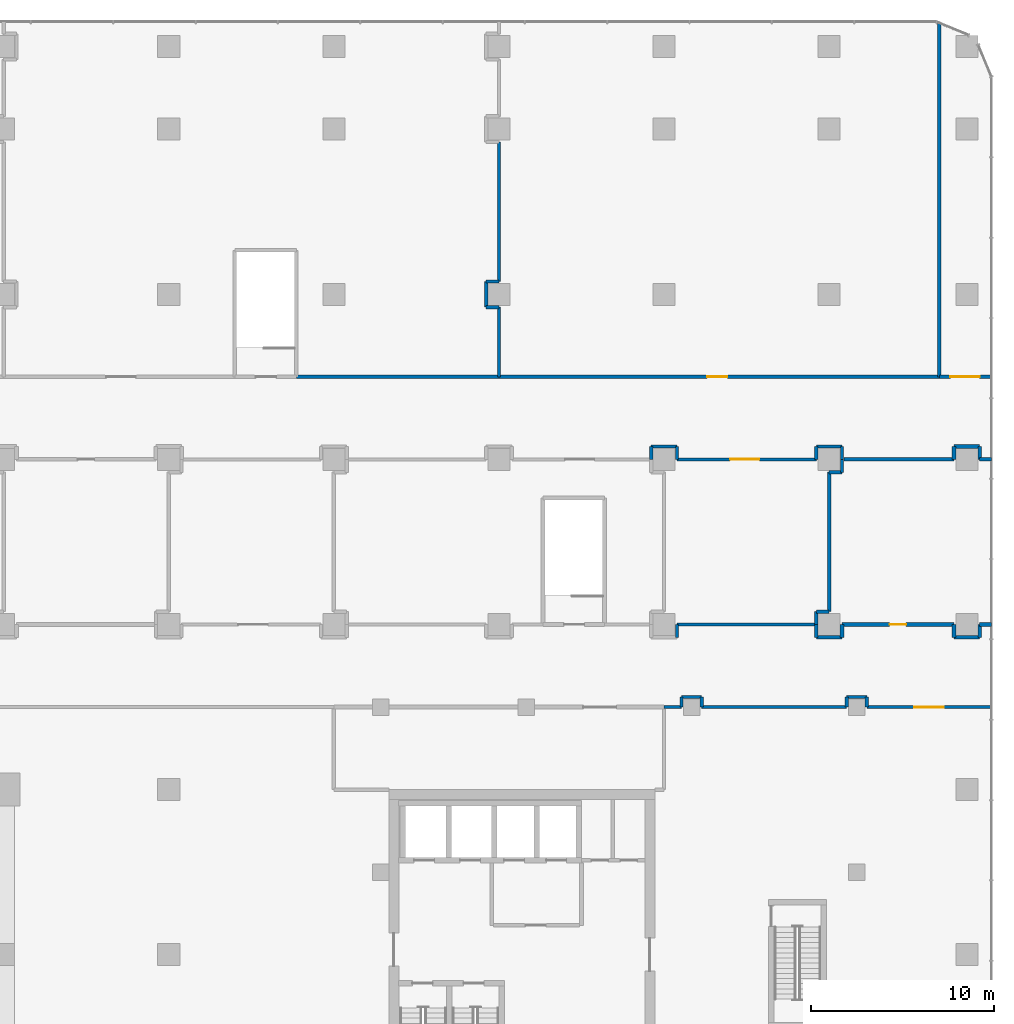
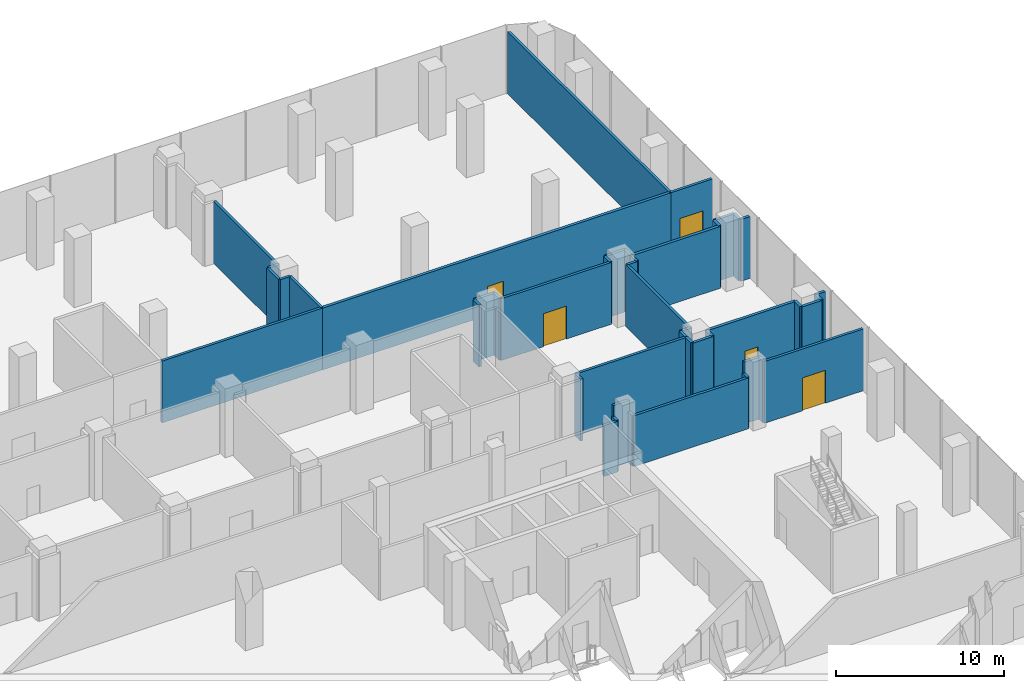
# One storey, part 31 of 36: 45 walls, 5 doors, 5 openings.
"""IFC4 building model written with IfcOpenShell, lengths in metres."""

from ifc_helpers import new_model, si_unit, direction, frame, frame_2d, origin, place, context, subcontext, project, spatial, rectangle, extrude, material, layer, layer_set, type_object, element, fill, save


model = new_model("IFC4")

# Units and contexts
model_context = context("Model", 3, precision=1e-05, world=origin(), true_north=direction((0.0, 1.0)))
body_context = subcontext(model_context, "Body", "Model", "MODEL_VIEW")
ifc_project = project(units=[si_unit("LENGTHUNIT", "METRE"), si_unit("AREAUNIT", "SQUARE_METRE"), si_unit("VOLUMEUNIT", "CUBIC_METRE"), si_unit("PLANEANGLEUNIT", "RADIAN"), si_unit("MASSUNIT", "GRAM", prefix="KILO")], contexts=[model_context])

# Site, building, storey
site_placement = place(None, origin())
site = spatial("IfcSite", under=ifc_project, at=site_placement, CompositionType="ELEMENT")
building_placement = place(site_placement, origin())
building = spatial("IfcBuilding", under=site, at=building_placement, Name="Plateau Cross Towers", CompositionType="ELEMENT")
storey_placement = place(building_placement, frame((0.0, 0.0, 21.800048828125)))
storey = spatial("IfcBuildingStorey", under=building, at=storey_placement, Name="L04", CompositionType="ELEMENT", Elevation=21.800048828125)

# Walls
ifc_material_1 = material(Name="Dense masonry block, plastered, acoustic lining", Category="masonry")
ifc_layer_1 = layer(ifc_material_1, 0.179931640625)
ifc_layer_set_1 = layer_set([ifc_layer_1], Name="Dense masonry block, plastered, acoustic lining")
wall_type_1 = type_object("IfcWallType", Name="Plant room acoustic wall 180", PredefinedType="PARTITIONING", material=ifc_layer_set_1)
wall_1_placement = place(storey_placement, frame((81.0, 53.300048828125, 0.0), z_axis=(0.0, 0.0, 1.0), x_axis=(0.0, -1.0, 0.0)))
element("IfcWall", 1, at=wall_1_placement, inside=storey, type_object=wall_type_1, Name="Partition wall", PredefinedType="PARTITIONING", context=body_context, shape_type="SweptSolid", body=[
    extrude(rectangle(XDim=7.60009765625, YDim=0.179931640625, at=frame_2d((3.800048828125, 0.0))), origin(), (0.0, 0.0, 1.0), 4.5),
])
wall_2_placement = place(storey_placement, frame((81.0, 45.699951171875, 0.0), z_axis=(0.0, 0.0, 1.0), x_axis=(-1.0, 0.0, 0.0)))
element("IfcWall", 2, at=wall_2_placement, inside=storey, type_object=wall_type_1, Name="Partition wall", PredefinedType="PARTITIONING", context=body_context, shape_type="SweptSolid", body=[
    extrude(rectangle(XDim=0.699951171875, YDim=0.179931640625, at=frame_2d((0.35009765625, 0.0))), origin(), (0.0, 0.0, 1.0), 4.5),
])
wall_3_placement = place(storey_placement, frame((80.300048828125, 45.699951171875, 0.0), z_axis=(0.0, 0.0, 1.0), x_axis=(0.0, -1.0, 0.0)))
element("IfcWall", 3, at=wall_3_placement, inside=storey, type_object=wall_type_1, Name="Partition wall", PredefinedType="PARTITIONING", context=body_context, shape_type="SweptSolid", body=[
    extrude(rectangle(XDim=1.39990234375, YDim=0.179931640625, at=frame_2d((0.699951171875, 0.0))), origin(), (0.0, 0.0, 1.0), 4.5),
])
wall_4_placement = place(storey_placement, frame((80.300048828125, 44.300048828125, 0.0), z_axis=(0.0, 0.0, 1.0), x_axis=(1.0, 0.0, 0.0)))
element("IfcWall", 4, at=wall_4_placement, inside=storey, type_object=wall_type_1, Name="Partition wall", PredefinedType="PARTITIONING", context=body_context, shape_type="SweptSolid", body=[
    extrude(rectangle(XDim=0.699951171875, YDim=0.179931640625, at=frame_2d((0.35009765625, 0.0))), origin(), (0.0, 0.0, 1.0), 4.5),
])
wall_5_placement = place(storey_placement, frame((81.0, 44.300048828125, 0.0), z_axis=(0.0, 0.0, 1.0), x_axis=(0.0, -1.0, 0.0)))
element("IfcWall", 5, at=wall_5_placement, inside=storey, type_object=wall_type_1, Name="Partition wall", PredefinedType="PARTITIONING", context=body_context, shape_type="SweptSolid", body=[
    extrude(rectangle(XDim=3.800048828125, YDim=0.179931640625, at=frame_2d((1.89990234375, 0.0))), origin(), (0.0, 0.0, 1.0), 4.5),
])

# Wall, opening, door
wall_6_placement = place(storey_placement, frame((107.85009765625, 22.5, 0.0), z_axis=(0.0, 0.0, 1.0), x_axis=(-1.0, 0.0, 0.0)))
wall_6 = element("IfcWall", 6, at=wall_6_placement, inside=storey, type_object=wall_type_1, Name="Partition wall", PredefinedType="PARTITIONING", context=body_context, shape_type="SweptSolid", body=[
    extrude(rectangle(XDim=6.800048828125, YDim=0.179931640625, at=frame_2d((3.39990234375, 0.0))), origin(), (0.0, 0.0, 1.0), 4.5),
])
opening_1_placement = place(wall_6_placement, frame((2.60009765625, 0.0, 0.0)))
opening_1 = element("IfcOpeningElement", 7, at=opening_1_placement, cuts=wall_6, Name="Opening 04-31", PredefinedType="OPENING", context=body_context, shape_type="SweptSolid", body=[
    extrude(rectangle(XDim=1.60009765625, YDim=2.39990234375, at=frame_2d((0.800048828125, 1.199951171875))), frame((0.0, 0.099853515625, 0.0), z_axis=(0.0, -1.0, 0.0), x_axis=(1.0, 0.0, 0.0)), (0.0, 0.0, 1.0), 0.199951171875),
])
ifc_material_2 = material(Name="Steel, fire-resisting double leaf with louvre panel", Category="steel")
door_type_1 = type_object("IfcDoorType", Name="Plant room double door 1600x2400", OperationType="NOTDEFINED", PredefinedType="DOOR", material=ifc_material_2)
door_1_placement = place(opening_1_placement, origin())
door_1 = element("IfcDoor", 8, at=door_1_placement, inside=storey, type_object=door_type_1, Name="Door 04-31", OperationType="SINGLE_SWING_LEFT", OverallHeight=2.39990234375, OverallWidth=1.60009765625, PredefinedType="DOOR", context=body_context, shape_type="SweptSolid", body=[
    extrude(rectangle(XDim=1.60009765625, YDim=2.39990234375, at=frame_2d((0.800048828125, 1.199951171875))), frame((0.0, 0.02490234375, 0.0), z_axis=(0.0, -1.0, 0.0), x_axis=(1.0, 0.0, 0.0)), (0.0, 0.0, 1.0), 0.050048828125),
])
fill(opening_1, door_1)

# Walls
wall_7_placement = place(storey_placement, frame((101.050048828125, 22.5, 0.0), z_axis=(0.0, 0.0, 1.0), x_axis=(0.0, 1.0, 0.0)))
element("IfcWall", 9, at=wall_7_placement, inside=storey, type_object=wall_type_1, Name="Partition wall", PredefinedType="PARTITIONING", context=body_context, shape_type="SweptSolid", body=[
    extrude(rectangle(XDim=0.550048828125, YDim=0.179931640625, at=frame_2d((0.27490234375, 0.0))), origin(), (0.0, 0.0, 1.0), 4.5),
])
wall_8_placement = place(storey_placement, frame((101.050048828125, 23.050048828125, 0.0), z_axis=(0.0, 0.0, 1.0), x_axis=(-1.0, 0.0, 0.0)))
element("IfcWall", 10, at=wall_8_placement, inside=storey, type_object=wall_type_1, Name="Partition wall", PredefinedType="PARTITIONING", context=body_context, shape_type="SweptSolid", body=[
    extrude(rectangle(XDim=1.10009765625, YDim=0.179931640625, at=frame_2d((0.550048828125, 0.0))), origin(), (0.0, 0.0, 1.0), 4.5),
])
wall_9_placement = place(storey_placement, frame((99.949951171875, 23.050048828125, 0.0), z_axis=(0.0, 0.0, 1.0), x_axis=(0.0, -1.0, 0.0)))
element("IfcWall", 11, at=wall_9_placement, inside=storey, type_object=wall_type_1, Name="Partition wall", PredefinedType="PARTITIONING", context=body_context, shape_type="SweptSolid", body=[
    extrude(rectangle(XDim=0.550048828125, YDim=0.179931640625, at=frame_2d((0.27490234375, 0.0))), origin(), (0.0, 0.0, 1.0), 3.699951171875),
])
wall_10_placement = place(storey_placement, frame((99.949951171875, 22.5, 0.0), z_axis=(0.0, 0.0, 1.0), x_axis=(-1.0, 0.0, 0.0)))
element("IfcWall", 12, at=wall_10_placement, inside=storey, type_object=wall_type_1, Name="Partition wall", PredefinedType="PARTITIONING", context=body_context, shape_type="SweptSolid", body=[
    extrude(rectangle(XDim=7.89990234375, YDim=0.179931640625, at=frame_2d((3.949951171875, 0.0))), origin(), (0.0, 0.0, 1.0), 3.699951171875),
])
wall_11_placement = place(storey_placement, frame((92.050048828125, 22.5, 0.0), z_axis=(0.0, 0.0, 1.0), x_axis=(0.0, 1.0, 0.0)))
element("IfcWall", 13, at=wall_11_placement, inside=storey, type_object=wall_type_1, Name="Partition wall", PredefinedType="PARTITIONING", context=body_context, shape_type="SweptSolid", body=[
    extrude(rectangle(XDim=0.550048828125, YDim=0.179931640625, at=frame_2d((0.27490234375, 0.0))), origin(), (0.0, 0.0, 1.0), 3.699951171875),
])
wall_12_placement = place(storey_placement, frame((92.050048828125, 23.050048828125, 0.0), z_axis=(0.0, 0.0, 1.0), x_axis=(-1.0, 0.0, 0.0)))
element("IfcWall", 14, at=wall_12_placement, inside=storey, type_object=wall_type_1, Name="Partition wall", PredefinedType="PARTITIONING", context=body_context, shape_type="SweptSolid", body=[
    extrude(rectangle(XDim=1.10009765625, YDim=0.179931640625, at=frame_2d((0.550048828125, 0.0))), origin(), (0.0, 0.0, 1.0), 4.5),
])
wall_13_placement = place(storey_placement, frame((90.949951171875, 23.050048828125, 0.0), z_axis=(0.0, 0.0, 1.0), x_axis=(0.0, -1.0, 0.0)))
element("IfcWall", 15, at=wall_13_placement, inside=storey, type_object=wall_type_1, Name="Partition wall", PredefinedType="PARTITIONING", context=body_context, shape_type="SweptSolid", body=[
    extrude(rectangle(XDim=0.550048828125, YDim=0.179931640625, at=frame_2d((0.27490234375, 0.0))), origin(), (0.0, 0.0, 1.0), 3.699951171875),
])
wall_14_placement = place(storey_placement, frame((90.949951171875, 22.5, 0.0), z_axis=(0.0, 0.0, 1.0), x_axis=(-1.0, 0.0, 0.0)))
element("IfcWall", 16, at=wall_14_placement, inside=storey, type_object=wall_type_1, Name="Partition wall", PredefinedType="PARTITIONING", context=body_context, shape_type="SweptSolid", body=[
    extrude(rectangle(XDim=0.949951171875, YDim=0.179931640625, at=frame_2d((0.47509765625, 0.0))), origin(), (0.0, 0.0, 1.0), 3.699951171875),
])
wall_15_placement = place(storey_placement, frame((105.0, 59.7880859375, 0.0), z_axis=(0.0, 0.0, 1.0), x_axis=(0.0, -1.0, 0.0)))
element("IfcWall", 17, at=wall_15_placement, inside=storey, type_object=wall_type_1, Name="Partition wall", PredefinedType="PARTITIONING", context=body_context, shape_type="SweptSolid", body=[
    extrude(rectangle(XDim=19.2880859375, YDim=0.179931640625, at=frame_2d((9.64404296875, 0.0))), origin(), (0.0, 0.0, 1.0), 4.5),
])
wall_16_placement = place(storey_placement, frame((99.699951171875, 36.0, 0.0), z_axis=(0.0, 0.0, 1.0), x_axis=(0.0, 1.0, 0.0)))
element("IfcWall", 18, at=wall_16_placement, inside=storey, type_object=wall_type_1, Name="Partition wall", PredefinedType="PARTITIONING", context=body_context, shape_type="SweptSolid", body=[
    extrude(rectangle(XDim=0.699951171875, YDim=0.179931640625, at=frame_2d((0.35009765625, 0.0))), origin(), (0.0, 0.0, 1.0), 4.5),
])
wall_17_placement = place(storey_placement, frame((99.699951171875, 36.699951171875, 0.0), z_axis=(0.0, 0.0, 1.0), x_axis=(-1.0, 0.0, 0.0)))
element("IfcWall", 19, at=wall_17_placement, inside=storey, type_object=wall_type_1, Name="Partition wall", PredefinedType="PARTITIONING", context=body_context, shape_type="SweptSolid", body=[
    extrude(rectangle(XDim=1.39990234375, YDim=0.179931640625, at=frame_2d((0.699951171875, 0.0))), origin(), (0.0, 0.0, 1.0), 4.5),
])
wall_18_placement = place(storey_placement, frame((98.300048828125, 36.699951171875, 0.0), z_axis=(0.0, 0.0, 1.0), x_axis=(0.0, -1.0, 0.0)))
element("IfcWall", 20, at=wall_18_placement, inside=storey, type_object=wall_type_1, Name="Partition wall", PredefinedType="PARTITIONING", context=body_context, shape_type="SweptSolid", body=[
    extrude(rectangle(XDim=0.699951171875, YDim=0.179931640625, at=frame_2d((0.35009765625, 0.0))), origin(), (0.0, 0.0, 1.0), 4.5),
])

# Wall, opening, door
wall_19_placement = place(storey_placement, frame((98.300048828125, 36.0, 0.0), z_axis=(0.0, 0.0, 1.0), x_axis=(-1.0, 0.0, 0.0)))
wall_19 = element("IfcWall", 21, at=wall_19_placement, inside=storey, type_object=wall_type_1, Name="Partition wall", PredefinedType="PARTITIONING", context=body_context, shape_type="SweptSolid", body=[
    extrude(rectangle(XDim=7.60009765625, YDim=0.179931640625, at=frame_2d((3.800048828125, 0.0))), origin(), (0.0, 0.0, 1.0), 4.5),
])
opening_2_placement = place(wall_19_placement, frame((3.10009765625, 0.0, 0.0)))
opening_2 = element("IfcOpeningElement", 22, at=opening_2_placement, cuts=wall_19, Name="Opening 04-25", PredefinedType="OPENING", context=body_context, shape_type="SweptSolid", body=[
    extrude(rectangle(XDim=1.60009765625, YDim=2.39990234375, at=frame_2d((0.800048828125, 1.199951171875))), frame((0.0, 0.099853515625, 0.0), z_axis=(0.0, -1.0, 0.0), x_axis=(1.0, 0.0, 0.0)), (0.0, 0.0, 1.0), 0.199951171875),
])
door_2_placement = place(opening_2_placement, origin())
door_2 = element("IfcDoor", 23, at=door_2_placement, inside=storey, type_object=door_type_1, Name="Door 04-25", OperationType="SINGLE_SWING_LEFT", OverallHeight=2.39990234375, OverallWidth=1.60009765625, PredefinedType="DOOR", context=body_context, shape_type="SweptSolid", body=[
    extrude(rectangle(XDim=1.60009765625, YDim=2.39990234375, at=frame_2d((0.800048828125, 1.199951171875))), frame((0.0, 0.02490234375, 0.0), z_axis=(0.0, -1.0, 0.0), x_axis=(1.0, 0.0, 0.0)), (0.0, 0.0, 1.0), 0.050048828125),
])
fill(opening_2, door_2)

# Walls
wall_20_placement = place(storey_placement, frame((90.699951171875, 36.0, 0.0), z_axis=(0.0, 0.0, 1.0), x_axis=(0.0, 1.0, 0.0)))
element("IfcWall", 24, at=wall_20_placement, inside=storey, type_object=wall_type_1, Name="Partition wall", PredefinedType="PARTITIONING", context=body_context, shape_type="SweptSolid", body=[
    extrude(rectangle(XDim=0.699951171875, YDim=0.179931640625, at=frame_2d((0.35009765625, 0.0))), origin(), (0.0, 0.0, 1.0), 4.5),
])
wall_21_placement = place(storey_placement, frame((90.699951171875, 36.699951171875, 0.0), z_axis=(0.0, 0.0, 1.0), x_axis=(-1.0, 0.0, 0.0)))
element("IfcWall", 25, at=wall_21_placement, inside=storey, type_object=wall_type_1, Name="Partition wall", PredefinedType="PARTITIONING", context=body_context, shape_type="SweptSolid", body=[
    extrude(rectangle(XDim=1.39990234375, YDim=0.179931640625, at=frame_2d((0.699951171875, 0.0))), origin(), (0.0, 0.0, 1.0), 4.5),
])
wall_22_placement = place(storey_placement, frame((89.300048828125, 36.699951171875, 0.0), z_axis=(0.0, 0.0, 1.0), x_axis=(0.0, -1.0, 0.0)))
element("IfcWall", 26, at=wall_22_placement, inside=storey, type_object=wall_type_1, Name="Partition wall", PredefinedType="PARTITIONING", context=body_context, shape_type="SweptSolid", body=[
    extrude(rectangle(XDim=0.699951171875, YDim=0.179931640625, at=frame_2d((0.35009765625, 0.0))), origin(), (0.0, 0.0, 1.0), 4.5),
])
wall_23_placement = place(storey_placement, frame((69.949951171875, 40.5, 0.0), z_axis=(0.0, 0.0, 1.0), x_axis=(1.0, 0.0, 0.0)))
element("IfcWall", 27, at=wall_23_placement, inside=storey, type_object=wall_type_1, Name="Partition wall", PredefinedType="PARTITIONING", context=body_context, shape_type="SweptSolid", body=[
    extrude(rectangle(XDim=11.050048828125, YDim=0.179931640625, at=frame_2d((5.52490234375, 0.0))), origin(), (0.0, 0.0, 1.0), 4.5),
])
wall_24_placement = place(storey_placement, frame((90.699951171875, 26.300048828125, 0.0), z_axis=(0.0, 0.0, 1.0), x_axis=(0.0, 1.0, 0.0)))
element("IfcWall", 28, at=wall_24_placement, inside=storey, type_object=wall_type_1, Name="Partition wall", PredefinedType="PARTITIONING", context=body_context, shape_type="SweptSolid", body=[
    extrude(rectangle(XDim=0.699951171875, YDim=0.179931640625, at=frame_2d((0.35009765625, 0.0))), origin(), (0.0, 0.0, 1.0), 4.5),
])
wall_25_placement = place(storey_placement, frame((90.699951171875, 27.0, 0.0), z_axis=(0.0, 0.0, 1.0), x_axis=(1.0, 0.0, 0.0)))
element("IfcWall", 29, at=wall_25_placement, inside=storey, type_object=wall_type_1, Name="Partition wall", PredefinedType="PARTITIONING", context=body_context, shape_type="SweptSolid", body=[
    extrude(rectangle(XDim=7.60009765625, YDim=0.179931640625, at=frame_2d((3.800048828125, 0.0))), origin(), (0.0, 0.0, 1.0), 4.5),
])
for number, where, z_axis, x_axis, name in (
    (30, (99.699951171875, 36.0, 0.0), (0.0, 0.0, 1.0), (0.0, -1.0, 0.0), "Partition wall"),
    (31, (99.699951171875, 35.300048828125, 0.0), (0.0, 0.0, 1.0), (-1.0, 0.0, 0.0), "Partition wall"),
):
    element("IfcWall", number, at=place(storey_placement, frame(where, z_axis=z_axis, x_axis=x_axis)), inside=storey, type_object=wall_type_1, Name=name, PredefinedType="PARTITIONING", context=body_context, shape_type="SweptSolid", body=[
        extrude(rectangle(XDim=0.699951171875, YDim=0.179931640625, at=frame_2d((0.35009765625, 0.0))), origin(), (0.0, 0.0, 1.0), 4.5),
    ])
wall_26_placement = place(storey_placement, frame((99.0, 35.300048828125, 0.0), z_axis=(0.0, 0.0, 1.0), x_axis=(0.0, -1.0, 0.0)))
element("IfcWall", 32, at=wall_26_placement, inside=storey, type_object=wall_type_1, Name="Partition wall", PredefinedType="PARTITIONING", context=body_context, shape_type="SweptSolid", body=[
    extrude(rectangle(XDim=7.60009765625, YDim=0.179931640625, at=frame_2d((3.800048828125, 0.0))), origin(), (0.0, 0.0, 1.0), 4.5),
])
for number, where, z_axis, x_axis, name in (
    (33, (99.0, 27.699951171875, 0.0), (0.0, 0.0, 1.0), (-1.0, 0.0, 0.0), "Partition wall"),
    (34, (98.300048828125, 27.699951171875, 0.0), (0.0, 0.0, 1.0), (0.0, -1.0, 0.0), "Partition wall"),
):
    element("IfcWall", number, at=place(storey_placement, frame(where, z_axis=z_axis, x_axis=x_axis)), inside=storey, type_object=wall_type_1, Name=name, PredefinedType="PARTITIONING", context=body_context, shape_type="SweptSolid", body=[
        extrude(rectangle(XDim=0.699951171875, YDim=0.179931640625, at=frame_2d((0.35009765625, 0.0))), origin(), (0.0, 0.0, 1.0), 4.5),
    ])

# Wall, opening, door
wall_27_placement = place(storey_placement, frame((105.0, 40.5, 0.0), z_axis=(0.0, 0.0, 1.0), x_axis=(1.0, 0.0, 0.0)))
wall_27 = element("IfcWall", 35, at=wall_27_placement, inside=storey, type_object=wall_type_1, Name="Partition wall", PredefinedType="PARTITIONING", context=body_context, shape_type="SweptSolid", body=[
    extrude(rectangle(XDim=2.85009765625, YDim=0.179931640625, at=frame_2d((1.425048828125, 0.0))), origin(), (0.0, 0.0, 1.0), 4.5),
])
opening_3_placement = place(wall_27_placement, frame((0.60009765625, 0.0, 0.0)))
opening_3 = element("IfcOpeningElement", 36, at=opening_3_placement, cuts=wall_27, Name="Opening 04-36", PredefinedType="OPENING", context=body_context, shape_type="SweptSolid", body=[
    extrude(rectangle(XDim=1.60009765625, YDim=2.39990234375, at=frame_2d((0.800048828125, 1.199951171875))), frame((0.0, 0.099853515625, 0.0), z_axis=(0.0, -1.0, 0.0), x_axis=(1.0, 0.0, 0.0)), (0.0, 0.0, 1.0), 0.199951171875),
])
door_3_placement = place(opening_3_placement, origin())
door_3 = element("IfcDoor", 37, at=door_3_placement, inside=storey, type_object=door_type_1, Name="Door 04-36", OperationType="SINGLE_SWING_LEFT", OverallHeight=2.39990234375, OverallWidth=1.60009765625, PredefinedType="DOOR", context=body_context, shape_type="SweptSolid", body=[
    extrude(rectangle(XDim=1.60009765625, YDim=2.39990234375, at=frame_2d((0.800048828125, 1.199951171875))), frame((0.0, 0.02490234375, 0.0), z_axis=(0.0, -1.0, 0.0), x_axis=(1.0, 0.0, 0.0)), (0.0, 0.0, 1.0), 0.050048828125),
])
fill(opening_3, door_3)

ifc_material_3 = material(Name="Gypsum board on steel studs, two layers each side", Category="steel")
ifc_layer_2 = layer(ifc_material_3, 0.199951171875)
ifc_layer_set_2 = layer_set([ifc_layer_2], Name="Gypsum board on steel studs, two layers each side")
wall_type_2 = type_object("IfcWallType", Name="Podium compartment wall 200", PredefinedType="PARTITIONING", material=ifc_layer_set_2)
wall_28_placement = place(storey_placement, frame((81.0, 40.5, 0.0), z_axis=(0.0, 0.0, 1.0), x_axis=(1.0, 0.0, 0.0)))
wall_28 = element("IfcWall", 38, at=wall_28_placement, inside=storey, type_object=wall_type_2, Name="Partition wall", PredefinedType="PARTITIONING", context=body_context, shape_type="SweptSolid", body=[
    extrude(rectangle(XDim=24.0, YDim=0.199951171875, at=frame_2d((12.0, 0.0))), origin(), (0.0, 0.0, 1.0), 4.5),
])
opening_4_placement = place(wall_28_placement, frame((11.35009765625, 0.0, 0.0)))
opening_4 = element("IfcOpeningElement", 39, at=opening_4_placement, cuts=wall_28, Name="Opening 04-35", PredefinedType="OPENING", context=body_context, shape_type="SweptSolid", body=[
    extrude(rectangle(XDim=1.10009765625, YDim=2.10009765625, at=frame_2d((0.550048828125, 1.050048828125))), frame((0.0, 0.10986328125, 0.0), z_axis=(0.0, -1.0, 0.0), x_axis=(1.0, 0.0, 0.0)), (0.0, 0.0, 1.0), 0.219970703125),
])
ifc_material_4 = material(Name="Timber, fire-resisting leaf", Category="wood")
door_type_2 = type_object("IfcDoorType", Name="Podium fire door 1100", OperationType="NOTDEFINED", PredefinedType="DOOR", material=ifc_material_4)
door_4_placement = place(opening_4_placement, origin())
door_4 = element("IfcDoor", 40, at=door_4_placement, inside=storey, type_object=door_type_2, Name="Door 04-35", OperationType="SINGLE_SWING_LEFT", OverallHeight=2.10009765625, OverallWidth=1.10009765625, PredefinedType="DOOR", context=body_context, shape_type="SweptSolid", body=[
    extrude(rectangle(XDim=1.10009765625, YDim=2.10009765625, at=frame_2d((0.550048828125, 1.050048828125))), frame((0.0, 0.02490234375, 0.0), z_axis=(0.0, -1.0, 0.0), x_axis=(1.0, 0.0, 0.0)), (0.0, 0.0, 1.0), 0.050048828125),
])
fill(opening_4, door_4)

wall_29_placement = place(storey_placement, frame((99.699951171875, 27.0, 0.0), z_axis=(0.0, 0.0, 1.0), x_axis=(1.0, 0.0, 0.0)))
wall_29 = element("IfcWall", 41, at=wall_29_placement, inside=storey, type_object=wall_type_2, Name="Partition wall", PredefinedType="PARTITIONING", context=body_context, shape_type="SweptSolid", body=[
    extrude(rectangle(XDim=6.10009765625, YDim=0.199951171875, at=frame_2d((3.050048828125, 0.0))), origin(), (0.0, 0.0, 1.0), 4.5),
])
opening_5_placement = place(wall_29_placement, frame((2.60009765625, 0.0, 0.0)))
opening_5 = element("IfcOpeningElement", 42, at=opening_5_placement, cuts=wall_29, Name="Opening 04-26", PredefinedType="OPENING", context=body_context, shape_type="SweptSolid", body=[
    extrude(rectangle(XDim=0.89990234375, YDim=2.10009765625, at=frame_2d((0.449951171875, 1.050048828125))), frame((0.0, 0.10986328125, 0.0), z_axis=(0.0, -1.0, 0.0), x_axis=(1.0, 0.0, 0.0)), (0.0, 0.0, 1.0), 0.219970703125),
])
door_type_3 = type_object("IfcDoorType", Name="Podium service door 900", OperationType="NOTDEFINED", PredefinedType="DOOR", material=ifc_material_4)
door_5_placement = place(opening_5_placement, origin())
door_5 = element("IfcDoor", 43, at=door_5_placement, inside=storey, type_object=door_type_3, Name="Door 04-26", OperationType="SINGLE_SWING_LEFT", OverallHeight=2.10009765625, OverallWidth=0.89990234375, PredefinedType="DOOR", context=body_context, shape_type="SweptSolid", body=[
    extrude(rectangle(XDim=0.89990234375, YDim=2.10009765625, at=frame_2d((0.449951171875, 1.050048828125))), frame((0.0, 0.02490234375, 0.0), z_axis=(0.0, -1.0, 0.0), x_axis=(1.0, 0.0, 0.0)), (0.0, 0.0, 1.0), 0.050048828125),
])
fill(opening_5, door_5)

# Walls
ifc_material_5 = material(Name="Gypsum board on steel studs", Category="steel")
ifc_layer_3 = layer(ifc_material_5, 0.199951171875)
ifc_layer_set_3 = layer_set([ifc_layer_3], Name="Gypsum board on steel studs")
wall_type_3 = type_object("IfcWallType", Name="Podium partition 200", PredefinedType="PARTITIONING", material=ifc_layer_set_3)
wall_30_placement = place(storey_placement, frame((98.300048828125, 27.0, 0.0), z_axis=(0.0, 0.0, 1.0), x_axis=(0.0, -1.0, 0.0)))
element("IfcWall", 44, at=wall_30_placement, inside=storey, type_object=wall_type_3, Name="Partition wall", PredefinedType="PARTITIONING", context=body_context, shape_type="SweptSolid", body=[
    extrude(rectangle(XDim=0.699951171875, YDim=0.199951171875, at=frame_2d((0.35009765625, 0.0))), origin(), (0.0, 0.0, 1.0), 4.5),
])
wall_31_placement = place(storey_placement, frame((98.300048828125, 26.300048828125, 0.0), z_axis=(0.0, 0.0, 1.0), x_axis=(1.0, 0.0, 0.0)))
element("IfcWall", 45, at=wall_31_placement, inside=storey, type_object=wall_type_3, Name="Partition wall", PredefinedType="PARTITIONING", context=body_context, shape_type="SweptSolid", body=[
    extrude(rectangle(XDim=1.39990234375, YDim=0.199951171875, at=frame_2d((0.699951171875, 0.0))), origin(), (0.0, 0.0, 1.0), 4.5),
])
for number, where, z_axis, x_axis, name in (
    (46, (99.699951171875, 26.300048828125, 0.0), (0.0, 0.0, 1.0), (0.0, 1.0, 0.0), "Partition wall"),
    (47, (105.800048828125, 27.0, 0.0), (0.0, 0.0, 1.0), (0.0, -1.0, 0.0), "Partition wall"),
):
    element("IfcWall", number, at=place(storey_placement, frame(where, z_axis=z_axis, x_axis=x_axis)), inside=storey, type_object=wall_type_3, Name=name, PredefinedType="PARTITIONING", context=body_context, shape_type="SweptSolid", body=[
        extrude(rectangle(XDim=0.699951171875, YDim=0.199951171875, at=frame_2d((0.35009765625, 0.0))), origin(), (0.0, 0.0, 1.0), 4.5),
    ])
wall_32_placement = place(storey_placement, frame((105.800048828125, 26.300048828125, 0.0), z_axis=(0.0, 0.0, 1.0), x_axis=(1.0, 0.0, 0.0)))
element("IfcWall", 48, at=wall_32_placement, inside=storey, type_object=wall_type_3, Name="Partition wall", PredefinedType="PARTITIONING", context=body_context, shape_type="SweptSolid", body=[
    extrude(rectangle(XDim=1.39990234375, YDim=0.199951171875, at=frame_2d((0.699951171875, 0.0))), origin(), (0.0, 0.0, 1.0), 4.5),
])
wall_33_placement = place(storey_placement, frame((107.199951171875, 26.300048828125, 0.0), z_axis=(0.0, 0.0, 1.0), x_axis=(0.0, 1.0, 0.0)))
element("IfcWall", 49, at=wall_33_placement, inside=storey, type_object=wall_type_3, Name="Partition wall", PredefinedType="PARTITIONING", context=body_context, shape_type="SweptSolid", body=[
    extrude(rectangle(XDim=0.699951171875, YDim=0.199951171875, at=frame_2d((0.35009765625, 0.0))), origin(), (0.0, 0.0, 1.0), 4.5),
])
for number, where, z_axis, x_axis, name in (
    (50, (107.199951171875, 27.0, 0.0), (0.0, 0.0, 1.0), (1.0, 0.0, 0.0), "Partition wall"),
    (51, (107.85009765625, 36.0, 0.0), (0.0, 0.0, 1.0), (-1.0, 0.0, 0.0), "Partition wall"),
):
    element("IfcWall", number, at=place(storey_placement, frame(where, z_axis=z_axis, x_axis=x_axis)), inside=storey, type_object=wall_type_3, Name=name, PredefinedType="PARTITIONING", context=body_context, shape_type="SweptSolid", body=[
        extrude(rectangle(XDim=0.650146484375, YDim=0.199951171875, at=frame_2d((0.3251953125, 0.0))), origin(), (0.0, 0.0, 1.0), 4.5),
    ])
wall_34_placement = place(storey_placement, frame((107.199951171875, 36.0, 0.0), z_axis=(0.0, 0.0, 1.0), x_axis=(0.0, 1.0, 0.0)))
element("IfcWall", 52, at=wall_34_placement, inside=storey, type_object=wall_type_3, Name="Partition wall", PredefinedType="PARTITIONING", context=body_context, shape_type="SweptSolid", body=[
    extrude(rectangle(XDim=0.699951171875, YDim=0.199951171875, at=frame_2d((0.35009765625, 0.0))), origin(), (0.0, 0.0, 1.0), 4.5),
])
wall_35_placement = place(storey_placement, frame((107.199951171875, 36.699951171875, 0.0), z_axis=(0.0, 0.0, 1.0), x_axis=(-1.0, 0.0, 0.0)))
element("IfcWall", 53, at=wall_35_placement, inside=storey, type_object=wall_type_3, Name="Partition wall", PredefinedType="PARTITIONING", context=body_context, shape_type="SweptSolid", body=[
    extrude(rectangle(XDim=1.39990234375, YDim=0.199951171875, at=frame_2d((0.699951171875, 0.0))), origin(), (0.0, 0.0, 1.0), 4.5),
])
wall_36_placement = place(storey_placement, frame((105.800048828125, 36.699951171875, 0.0), z_axis=(0.0, 0.0, 1.0), x_axis=(0.0, -1.0, 0.0)))
element("IfcWall", 54, at=wall_36_placement, inside=storey, type_object=wall_type_3, Name="Partition wall", PredefinedType="PARTITIONING", context=body_context, shape_type="SweptSolid", body=[
    extrude(rectangle(XDim=0.699951171875, YDim=0.199951171875, at=frame_2d((0.35009765625, 0.0))), origin(), (0.0, 0.0, 1.0), 4.5),
])
wall_37_placement = place(storey_placement, frame((105.800048828125, 36.0, 0.0), z_axis=(0.0, 0.0, 1.0), x_axis=(-1.0, 0.0, 0.0)))
element("IfcWall", 55, at=wall_37_placement, inside=storey, type_object=wall_type_3, Name="Partition wall", PredefinedType="PARTITIONING", context=body_context, shape_type="SweptSolid", body=[
    extrude(rectangle(XDim=6.0, YDim=0.199951171875, at=frame_2d((3.0, 0.0))), origin(), (0.0, 0.0, 1.0), 4.5),
])

save(model, "model.ifc")
